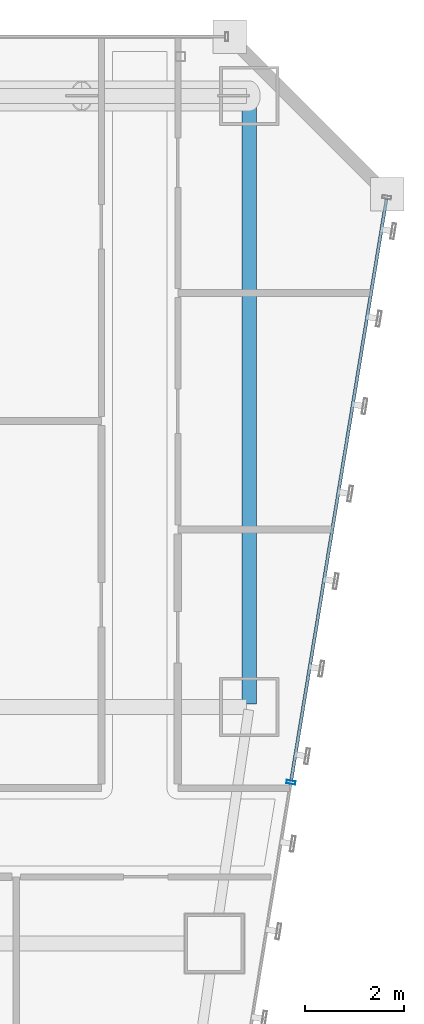
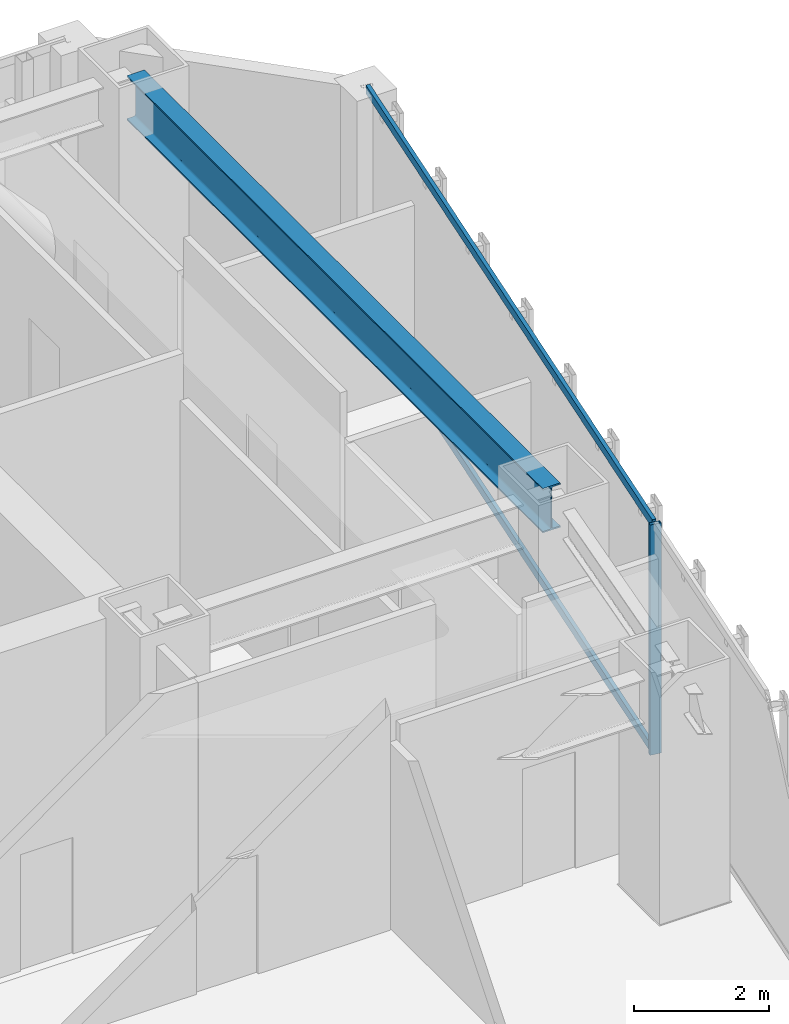
# One storey, part 31 of 49: 3 members, 1 beam, 1 element without a shape of its own.
"""IFC4 building model written with IfcOpenShell, lengths in metres."""

from ifc_helpers import new_model, si_unit, direction, frame, origin, origin_2d, place, context, subcontext, project, spatial, hollow_rectangle, i_section, extrude, material, material_profile, profile_set, type_object, element, aggregate, save


model = new_model("IFC4")

# Units and contexts
model_context = context("Model", 3, precision=1e-05, world=origin(), true_north=direction((0.0, 1.0)))
body_context = subcontext(model_context, "Body", "Model", "MODEL_VIEW")
ifc_project = project(units=[si_unit("LENGTHUNIT", "METRE"), si_unit("AREAUNIT", "SQUARE_METRE"), si_unit("VOLUMEUNIT", "CUBIC_METRE"), si_unit("PLANEANGLEUNIT", "RADIAN"), si_unit("MASSUNIT", "GRAM", prefix="KILO")], contexts=[model_context])

# Site, building, storey
site_placement = place(None, origin())
site = spatial("IfcSite", under=ifc_project, at=site_placement, CompositionType="ELEMENT")
building_placement = place(site_placement, origin())
building = spatial("IfcBuilding", under=site, at=building_placement, Name="Saevonmaru Cultural Tower", CompositionType="ELEMENT")
storey_placement = place(building_placement, frame((0.0, 0.0, 38.39990234375)))
storey = spatial("IfcBuildingStorey", under=building, at=storey_placement, Name="L07", CompositionType="ELEMENT", Elevation=38.39990234375)

# Beam
ifc_material_1 = material(Name="Steel SM420", Category="steel")
ifc_material_profile_1 = material_profile(ifc_material_1, i_section(OverallWidth=0.300048828125, OverallDepth=0.800048828125, WebThickness=0.013916015625, FlangeThickness=0.02587890625, FilletRadius=0.028076171875, at=origin_2d()), Name="H-800x300x14x26")
ifc_profile_set_1 = profile_set([ifc_material_profile_1], Name="Steel SM420")
beam_type = type_object("IfcBeamType", Name="BM-G-H800", PredefinedType="BEAM", material=ifc_profile_set_1)
beam_placement = place(storey_placement, frame((53.199951171875, 54.739990234375, 3.75), z_axis=(0.0, -1.0, 0.0), x_axis=(1.0, 0.0, 0.0)))
element("IfcBeam", 1, at=beam_placement, inside=storey, type_object=beam_type, Name="L07 Spine Transverse Girder E", PredefinedType="BEAM", context=body_context, shape_type="SweptSolid", body=[
    extrude(i_section(OverallWidth=0.300048828125, OverallDepth=0.800048828125, WebThickness=0.013916015625, FlangeThickness=0.02587890625, FilletRadius=0.028076171875, at=origin_2d()), origin(), (0.0, 0.0, 1.0), 12.280029296875),
])

# Curtain wall, members
ifc_material_2 = material(Name="Satin Bronze Anodised Aluminium", Category="aluminium")
curtain_wall_type = type_object("IfcCurtainWallType", Name="CW-TYP-A", PredefinedType="NOTDEFINED", material=ifc_material_2)
curtain_wall_placement = place(storey_placement, origin())
curtain_wall = element("IfcCurtainWall", 2, at=curtain_wall_placement, inside=storey, type_object=curtain_wall_type, Name="L07 Unitised Curtain Wall E8", PredefinedType="NOTDEFINED")
ifc_material_profile_2 = material_profile(ifc_material_2, hollow_rectangle(XDim=0.06494140625, YDim=0.179931640625, WallThickness=0.00390625, at=origin_2d()), Name="ALU-MULL-180x65x4")
ifc_profile_set_2 = profile_set([ifc_material_profile_2], Name="Satin Bronze Anodised Aluminium")
member_type_1 = type_object("IfcMemberType", Name="ML-CW-180x65", PredefinedType="MULLION", material=ifc_profile_set_2)
member_1_placement = place(storey_placement, frame((54.045166015625, 40.870361328125, 0.0), z_axis=(0.0, 0.0, 1.0), x_axis=(0.161708868641, 0.986838508472, 0.0)))
member_1 = element("IfcMember", 3, at=member_1_placement, type_object=member_type_1, Name="CW-TW-L07-E8 mullion 4", PredefinedType="MULLION", context=body_context, shape_type="SweptSolid", body=[
    extrude(hollow_rectangle(XDim=0.06494140625, YDim=0.179931640625, WallThickness=0.00390625, at=origin_2d()), origin(), (0.0, 0.0, 1.0), 4.150146484375),
])
ifc_material_profile_3 = material_profile(ifc_material_2, hollow_rectangle(XDim=0.06494140625, YDim=0.14990234375, WallThickness=0.00390625, at=origin_2d()), Name="ALU-TRAN-150x65x4")
ifc_profile_set_3 = profile_set([ifc_material_profile_3], Name="Satin Bronze Anodised Aluminium")
member_type_2 = type_object("IfcMemberType", Name="TR-CW-150x65", PredefinedType="USERDEFINED", material=ifc_profile_set_3)
member_2_placement = place(storey_placement, frame((54.05029296875, 40.902587890625, 0.03271484375), z_axis=(0.161724530373, 0.986835941925, 0.0), x_axis=(-0.986835941925, 0.161724530373, 0.0)))
member_2 = element("IfcMember", 4, at=member_2_placement, type_object=member_type_2, Name="CW-TW-L07-E8 transom 4.1", ObjectType="TRANSOM", PredefinedType="USERDEFINED", context=body_context, shape_type="SweptSolid", body=[
    extrude(hollow_rectangle(XDim=0.06494140625, YDim=0.14990234375, WallThickness=0.00390625, at=origin_2d()), origin(), (0.0, 0.0, 1.0), 11.963623046875),
])
member_3_placement = place(storey_placement, frame((54.05029296875, 40.902587890625, 4.11767578125), z_axis=(0.161724530373, 0.986835941925, 0.0), x_axis=(-0.986835941925, 0.161724530373, 0.0)))
member_3 = element("IfcMember", 5, at=member_3_placement, type_object=member_type_2, Name="CW-TW-L07-E8 transom 4.2", ObjectType="TRANSOM", PredefinedType="USERDEFINED", context=body_context, shape_type="SweptSolid", body=[
    extrude(hollow_rectangle(XDim=0.06494140625, YDim=0.14990234375, WallThickness=0.00390625, at=origin_2d()), origin(), (0.0, 0.0, 1.0), 11.963623046875),
])
aggregate(curtain_wall, [member_1, member_2, member_3])

save(model, "model.ifc")
